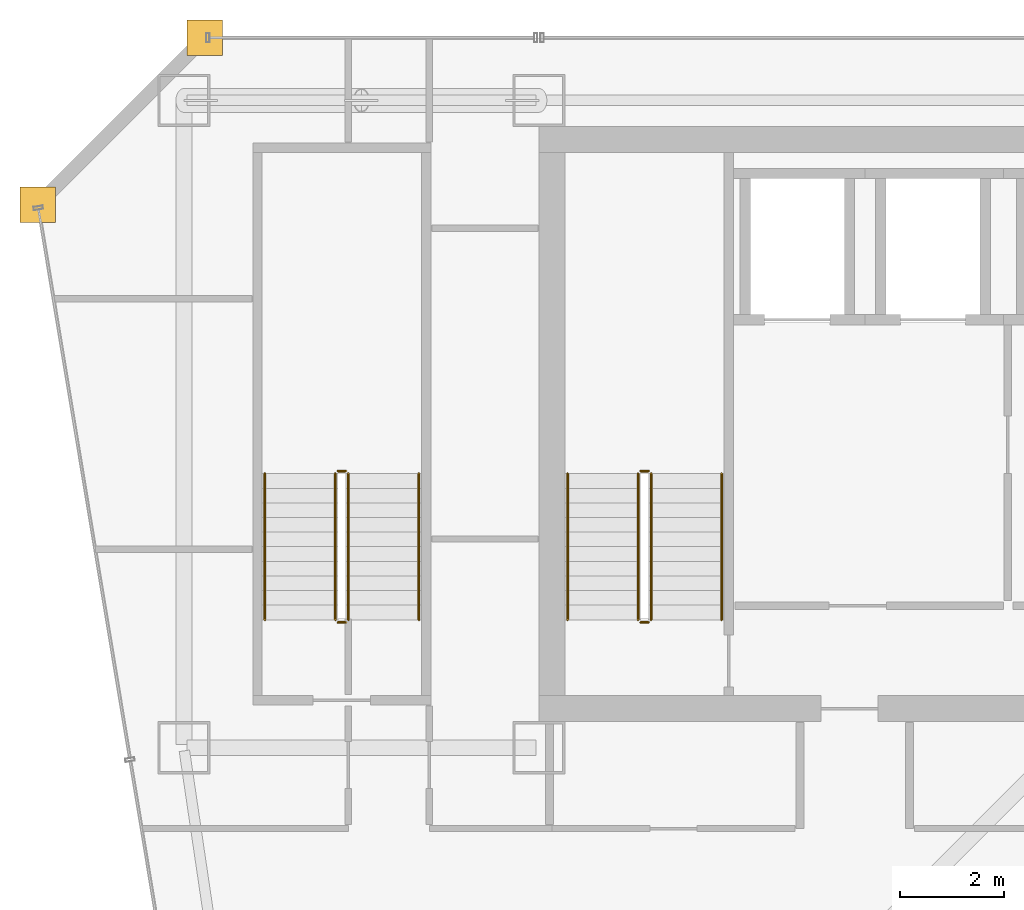
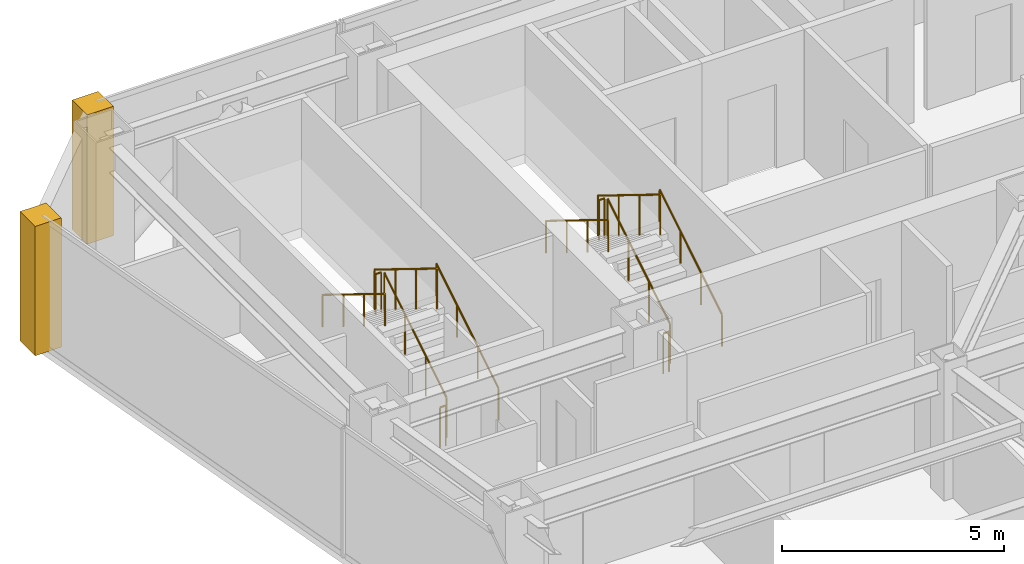
# One storey, part 36 of 37: 12 railings, 2 coverings.
"""IFC4 building model written with IfcOpenShell, lengths in metres."""

from ifc_helpers import new_model, si_unit, direction, frame, origin, origin_2d, place, context, subcontext, project, spatial, polyline, circle, outline, extrude, material, layer, layer_set, type_object, element, save


model = new_model("IFC4")

# Units and contexts
model_context = context("Model", 3, precision=1e-05, world=origin(), true_north=direction((0.0, 1.0)))
body_context = subcontext(model_context, "Body", "Model", "MODEL_VIEW")
ifc_project = project(units=[si_unit("LENGTHUNIT", "METRE"), si_unit("AREAUNIT", "SQUARE_METRE"), si_unit("VOLUMEUNIT", "CUBIC_METRE"), si_unit("PLANEANGLEUNIT", "RADIAN"), si_unit("MASSUNIT", "GRAM", prefix="KILO")], contexts=[model_context])

# Site, building, storey
site_placement = place(None, origin())
site = spatial("IfcSite", under=ifc_project, at=site_placement, CompositionType="ELEMENT")
building_placement = place(site_placement, origin())
building = spatial("IfcBuilding", under=site, at=building_placement, Name="Saevonmaru Cultural Tower", CompositionType="ELEMENT")
storey_placement = place(building_placement, frame((0.0, 0.0, 160.0)))
storey = spatial("IfcBuildingStorey", under=building, at=storey_placement, Name="L35", CompositionType="ELEMENT", Elevation=160.0)

# Coverings
ifc_material_1 = material(Name="Satin Bronze Anodised Aluminium", Category="aluminium")
ifc_layer = layer(ifc_material_1, 0.679931640625, Name="Satin Bronze Anodised Aluminium")
ifc_layer_set = layer_set([ifc_layer], Name="Satin Bronze Anodised Aluminium")
covering_type = type_object("IfcCoveringType", Name="CV-CORNER-CLAD", PredefinedType="CLADDING", material=ifc_layer_set)
covering_1_placement = place(storey_placement, origin())
element("IfcCovering", 1, at=covering_1_placement, inside=storey, type_object=covering_type, Name="L35 Tower Bronze Corner Cladding Pier 11", PredefinedType="CLADDING", context=body_context, shape_type="SweptSolid", body=[
    extrude(outline(polyline([(6.860107421875, 55.659912109375), (7.5400390625, 55.659912109375), (7.5400390625, 56.340087890625), (6.860107421875, 56.340087890625), (6.860107421875, 55.659912109375)])), origin(), (0.0, 0.0, 1.0), 3.550048828125),
])
covering_2_placement = place(storey_placement, origin())
element("IfcCovering", 2, at=covering_2_placement, inside=storey, type_object=covering_type, Name="L35 Tower Bronze Corner Cladding Pier 12", PredefinedType="CLADDING", context=body_context, shape_type="SweptSolid", body=[
    extrude(outline(polyline([(3.659912109375, 52.4599609375), (4.340087890625, 52.4599609375), (4.340087890625, 53.139892578125), (3.659912109375, 53.139892578125), (3.659912109375, 52.4599609375)])), origin(), (0.0, 0.0, 1.0), 3.550048828125),
])

# Railings
ifc_material_2 = material(Name="Architectural Painted Steel", Category="steel")
railing_type_1 = type_object("IfcRailingType", Name="RL-STAIR-GUARD", PredefinedType="GUARDRAIL", material=ifc_material_2)
railing_1_placement = place(storey_placement, frame((15.75, 44.85009765625, 0.172607421875)))
element("IfcRailing", 3, at=railing_1_placement, inside=storey, type_object=railing_type_1, Name="L35 ST-1 stair guard 1", PredefinedType="GUARDRAIL", context=body_context, shape_type="SweptSolid", body=[
    extrude(circle(Radius=0.02392578125, at=origin_2d()), frame((0.0, 0.0, 1.09619140625), z_axis=(0.0, 0.851069175582, 0.525053576669), x_axis=(-1.0, 0.0, 0.0)), (0.0, 0.0, 1.0), 3.289794921875),
    extrude(circle(Radius=0.02099609375, at=origin_2d()), origin(), (0.0, 0.0, 1.0), 1.072021484375),
    extrude(circle(Radius=0.02099609375, at=origin_2d()), frame((0.0, 0.933349609375, 0.57568359375)), (0.0, 0.0, 1.0), 1.072021484375),
    extrude(circle(Radius=0.02099609375, at=origin_2d()), frame((0.0, 1.866455078125, 1.151611328125)), (0.0, 0.0, 1.0), 1.072021484375),
    extrude(circle(Radius=0.02099609375, at=origin_2d()), frame((0.0, 2.7998046875, 1.727294921875)), (0.0, 0.0, 1.0), 1.072021484375),
])
railing_2_placement = place(storey_placement, frame((15.699951171875, 47.699951171875, 1.89990234375)))
element("IfcRailing", 4, at=railing_2_placement, inside=storey, type_object=railing_type_1, Name="L35 ST-1 stair guard 2", PredefinedType="GUARDRAIL", context=body_context, shape_type="SweptSolid", body=[
    extrude(circle(Radius=0.02392578125, at=origin_2d()), frame((0.0, 0.0, 1.09619140625), z_axis=(-1.0, 0.0, 0.0), x_axis=(0.0, -1.0, 0.0)), (0.0, 0.0, 1.0), 0.14990234375),
    extrude(circle(Radius=0.02099609375, at=origin_2d()), origin(), (0.0, 0.0, 1.0), 1.072021484375),
    extrude(circle(Radius=0.02099609375, at=origin_2d()), frame((-0.14990234375, 0.0, 0.0)), (0.0, 0.0, 1.0), 1.072021484375),
])
railing_3_placement = place(storey_placement, frame((15.5, 47.64990234375, 2.07275390625)))
element("IfcRailing", 5, at=railing_3_placement, inside=storey, type_object=railing_type_1, Name="L35 ST-1 stair guard 3", PredefinedType="GUARDRAIL", context=body_context, shape_type="SweptSolid", body=[
    extrude(circle(Radius=0.02392578125, at=origin_2d()), frame((0.0, 0.0, 1.09619140625), z_axis=(0.0, -0.851069175582, 0.525053576669), x_axis=(1.0, 0.0, 0.0)), (0.0, 0.0, 1.0), 3.289794921875),
    extrude(circle(Radius=0.02099609375, at=origin_2d()), origin(), (0.0, 0.0, 1.0), 1.072021484375),
    extrude(circle(Radius=0.02099609375, at=origin_2d()), frame((0.0, -0.933349609375, 0.57568359375)), (0.0, 0.0, 1.0), 1.072021484375),
    extrude(circle(Radius=0.02099609375, at=origin_2d()), frame((0.0, -1.866455078125, 1.151611328125)), (0.0, 0.0, 1.0), 1.072021484375),
    extrude(circle(Radius=0.02099609375, at=origin_2d()), frame((0.0, -2.7998046875, 1.727294921875)), (0.0, 0.0, 1.0), 1.072021484375),
])
railing_4_placement = place(storey_placement, frame((15.699951171875, 44.800048828125, 0.0)))
element("IfcRailing", 6, at=railing_4_placement, inside=storey, type_object=railing_type_1, Name="L35 ST-1 stair guard 4", PredefinedType="GUARDRAIL", context=body_context, shape_type="SweptSolid", body=[
    extrude(circle(Radius=0.02392578125, at=origin_2d()), frame((0.0, 0.0, 1.09619140625), z_axis=(-1.0, 0.0, 0.0), x_axis=(0.0, -1.0, 0.0)), (0.0, 0.0, 1.0), 0.14990234375),
    extrude(circle(Radius=0.02099609375, at=origin_2d()), origin(), (0.0, 0.0, 1.0), 1.072021484375),
    extrude(circle(Radius=0.02099609375, at=origin_2d()), frame((-0.14990234375, 0.0, 0.0)), (0.0, 0.0, 1.0), 1.072021484375),
])
railing_5_placement = place(storey_placement, frame((9.949951171875, 44.85009765625, 0.172607421875)))
element("IfcRailing", 7, at=railing_5_placement, inside=storey, type_object=railing_type_1, Name="L35 ST-3 stair guard 1", PredefinedType="GUARDRAIL", context=body_context, shape_type="SweptSolid", body=[
    extrude(circle(Radius=0.02392578125, at=origin_2d()), frame((0.0, 0.0, 1.09619140625), z_axis=(0.0, 0.851069175582, 0.525053576669), x_axis=(-1.0, 0.0, 0.0)), (0.0, 0.0, 1.0), 3.289794921875),
    extrude(circle(Radius=0.02099609375, at=origin_2d()), origin(), (0.0, 0.0, 1.0), 1.072021484375),
    extrude(circle(Radius=0.02099609375, at=origin_2d()), frame((0.0, 0.933349609375, 0.57568359375)), (0.0, 0.0, 1.0), 1.072021484375),
    extrude(circle(Radius=0.02099609375, at=origin_2d()), frame((0.0, 1.866455078125, 1.151611328125)), (0.0, 0.0, 1.0), 1.072021484375),
    extrude(circle(Radius=0.02099609375, at=origin_2d()), frame((0.0, 2.7998046875, 1.727294921875)), (0.0, 0.0, 1.0), 1.072021484375),
])
railing_6_placement = place(storey_placement, frame((9.89990234375, 47.699951171875, 1.89990234375)))
element("IfcRailing", 8, at=railing_6_placement, inside=storey, type_object=railing_type_1, Name="L35 ST-3 stair guard 2", PredefinedType="GUARDRAIL", context=body_context, shape_type="SweptSolid", body=[
    extrude(circle(Radius=0.02392578125, at=origin_2d()), frame((0.0, 0.0, 1.09619140625), z_axis=(-1.0, 0.0, 0.0), x_axis=(0.0, -1.0, 0.0)), (0.0, 0.0, 1.0), 0.14990234375),
    extrude(circle(Radius=0.02099609375, at=origin_2d()), origin(), (0.0, 0.0, 1.0), 1.072021484375),
    extrude(circle(Radius=0.02099609375, at=origin_2d()), frame((-0.14990234375, 0.0, 0.0)), (0.0, 0.0, 1.0), 1.072021484375),
])
railing_7_placement = place(storey_placement, frame((9.699951171875, 47.64990234375, 2.07275390625)))
element("IfcRailing", 9, at=railing_7_placement, inside=storey, type_object=railing_type_1, Name="L35 ST-3 stair guard 3", PredefinedType="GUARDRAIL", context=body_context, shape_type="SweptSolid", body=[
    extrude(circle(Radius=0.02392578125, at=origin_2d()), frame((0.0, 0.0, 1.09619140625), z_axis=(0.0, -0.851069175582, 0.525053576669), x_axis=(1.0, 0.0, 0.0)), (0.0, 0.0, 1.0), 3.289794921875),
    extrude(circle(Radius=0.02099609375, at=origin_2d()), origin(), (0.0, 0.0, 1.0), 1.072021484375),
    extrude(circle(Radius=0.02099609375, at=origin_2d()), frame((0.0, -0.933349609375, 0.57568359375)), (0.0, 0.0, 1.0), 1.072021484375),
    extrude(circle(Radius=0.02099609375, at=origin_2d()), frame((0.0, -1.866455078125, 1.151611328125)), (0.0, 0.0, 1.0), 1.072021484375),
    extrude(circle(Radius=0.02099609375, at=origin_2d()), frame((0.0, -2.7998046875, 1.727294921875)), (0.0, 0.0, 1.0), 1.072021484375),
])
railing_8_placement = place(storey_placement, frame((9.89990234375, 44.800048828125, 0.0)))
element("IfcRailing", 10, at=railing_8_placement, inside=storey, type_object=railing_type_1, Name="L35 ST-3 stair guard 4", PredefinedType="GUARDRAIL", context=body_context, shape_type="SweptSolid", body=[
    extrude(circle(Radius=0.02392578125, at=origin_2d()), frame((0.0, 0.0, 1.09619140625), z_axis=(-1.0, 0.0, 0.0), x_axis=(0.0, -1.0, 0.0)), (0.0, 0.0, 1.0), 0.14990234375),
    extrude(circle(Radius=0.02099609375, at=origin_2d()), origin(), (0.0, 0.0, 1.0), 1.072021484375),
    extrude(circle(Radius=0.02099609375, at=origin_2d()), frame((-0.14990234375, 0.0, 0.0)), (0.0, 0.0, 1.0), 1.072021484375),
])
railing_type_2 = type_object("IfcRailingType", Name="RL-STAIR-HANDRAIL", PredefinedType="HANDRAIL", material=ifc_material_1)
railing_9_placement = place(storey_placement, frame((17.10009765625, 44.85009765625, 0.172607421875)))
element("IfcRailing", 11, at=railing_9_placement, inside=storey, type_object=railing_type_2, Name="L35 ST-1 stair handrail 1", PredefinedType="HANDRAIL", context=body_context, shape_type="SweptSolid", body=[
    extrude(circle(Radius=0.02392578125, at=origin_2d()), frame((0.0, 0.0, 0.8759765625), z_axis=(0.0, 0.851069175582, 0.525053576669), x_axis=(-1.0, 0.0, 0.0)), (0.0, 0.0, 1.0), 3.289794921875),
    extrude(circle(Radius=0.02099609375, at=origin_2d()), origin(), (0.0, 0.0, 1.0), 0.851806640625),
    extrude(circle(Radius=0.02099609375, at=origin_2d()), frame((0.0, 0.933349609375, 0.57568359375)), (0.0, 0.0, 1.0), 0.851806640625),
    extrude(circle(Radius=0.02099609375, at=origin_2d()), frame((0.0, 1.866455078125, 1.151611328125)), (0.0, 0.0, 1.0), 0.851806640625),
    extrude(circle(Radius=0.02099609375, at=origin_2d()), frame((0.0, 2.7998046875, 1.727294921875)), (0.0, 0.0, 1.0), 0.851806640625),
])
railing_10_placement = place(storey_placement, frame((14.14990234375, 47.64990234375, 2.07275390625)))
element("IfcRailing", 12, at=railing_10_placement, inside=storey, type_object=railing_type_2, Name="L35 ST-1 stair handrail 2", PredefinedType="HANDRAIL", context=body_context, shape_type="SweptSolid", body=[
    extrude(circle(Radius=0.02392578125, at=origin_2d()), frame((0.0, 0.0, 0.8759765625), z_axis=(0.0, -0.851069175582, 0.525053576669), x_axis=(1.0, 0.0, 0.0)), (0.0, 0.0, 1.0), 3.289794921875),
    extrude(circle(Radius=0.02099609375, at=origin_2d()), origin(), (0.0, 0.0, 1.0), 0.851806640625),
    extrude(circle(Radius=0.02099609375, at=origin_2d()), frame((0.0, -0.933349609375, 0.57568359375)), (0.0, 0.0, 1.0), 0.851806640625),
    extrude(circle(Radius=0.02099609375, at=origin_2d()), frame((0.0, -1.866455078125, 1.151611328125)), (0.0, 0.0, 1.0), 0.851806640625),
    extrude(circle(Radius=0.02099609375, at=origin_2d()), frame((0.0, -2.7998046875, 1.727294921875)), (0.0, 0.0, 1.0), 0.851806640625),
])
railing_11_placement = place(storey_placement, frame((11.300048828125, 44.85009765625, 0.172607421875)))
element("IfcRailing", 13, at=railing_11_placement, inside=storey, type_object=railing_type_2, Name="L35 ST-3 stair handrail 1", PredefinedType="HANDRAIL", context=body_context, shape_type="SweptSolid", body=[
    extrude(circle(Radius=0.02392578125, at=origin_2d()), frame((0.0, 0.0, 0.8759765625), z_axis=(0.0, 0.851069175582, 0.525053576669), x_axis=(-1.0, 0.0, 0.0)), (0.0, 0.0, 1.0), 3.289794921875),
    extrude(circle(Radius=0.02099609375, at=origin_2d()), origin(), (0.0, 0.0, 1.0), 0.851806640625),
    extrude(circle(Radius=0.02099609375, at=origin_2d()), frame((0.0, 0.933349609375, 0.57568359375)), (0.0, 0.0, 1.0), 0.851806640625),
    extrude(circle(Radius=0.02099609375, at=origin_2d()), frame((0.0, 1.866455078125, 1.151611328125)), (0.0, 0.0, 1.0), 0.851806640625),
    extrude(circle(Radius=0.02099609375, at=origin_2d()), frame((0.0, 2.7998046875, 1.727294921875)), (0.0, 0.0, 1.0), 0.851806640625),
])
railing_12_placement = place(storey_placement, frame((8.35009765625, 47.64990234375, 2.07275390625)))
element("IfcRailing", 14, at=railing_12_placement, inside=storey, type_object=railing_type_2, Name="L35 ST-3 stair handrail 2", PredefinedType="HANDRAIL", context=body_context, shape_type="SweptSolid", body=[
    extrude(circle(Radius=0.02392578125, at=origin_2d()), frame((0.0, 0.0, 0.8759765625), z_axis=(0.0, -0.851069175582, 0.525053576669), x_axis=(1.0, 0.0, 0.0)), (0.0, 0.0, 1.0), 3.289794921875),
    extrude(circle(Radius=0.02099609375, at=origin_2d()), origin(), (0.0, 0.0, 1.0), 0.851806640625),
    extrude(circle(Radius=0.02099609375, at=origin_2d()), frame((0.0, -0.933349609375, 0.57568359375)), (0.0, 0.0, 1.0), 0.851806640625),
    extrude(circle(Radius=0.02099609375, at=origin_2d()), frame((0.0, -1.866455078125, 1.151611328125)), (0.0, 0.0, 1.0), 0.851806640625),
    extrude(circle(Radius=0.02099609375, at=origin_2d()), frame((0.0, -2.7998046875, 1.727294921875)), (0.0, 0.0, 1.0), 0.851806640625),
])

save(model, "model.ifc")
